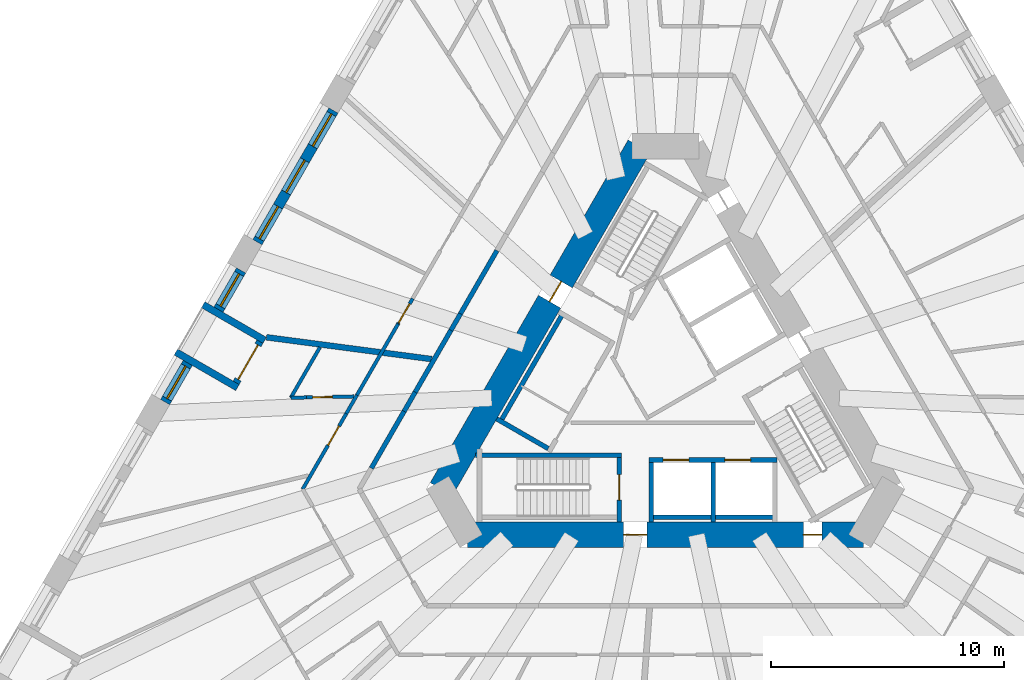
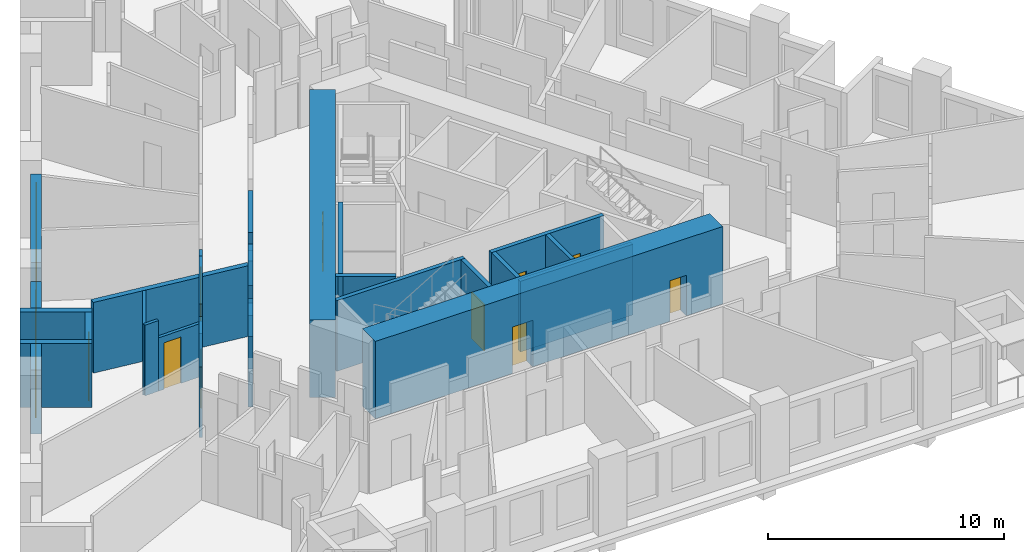
# One storey, part 4 of 14: 29 walls, 10 doors, 5 windows, 15 openings.
"""IFC4 building model written with IfcOpenShell, lengths in metres."""

import ifcopenshell
import ifcopenshell.guid

model = None  # the IFC model being written
_history = None  # IfcOwnerHistory: only IFC2X3 demands one
_inside = {}  # id of a spatial element -> (the spatial element, [elements in it])
_under = {}  # id of a project, library or spatial element -> (it, [spatial elements below it])
_declared = {}  # id of a project -> (the project, [libraries it declares])
_typed = {}  # id of a type object -> (the type object, [elements of that type])
_made_of = {}  # id of a material, layer set ... -> (it, [elements and type objects made of it])


def new_model(schema):
    """Start an empty IFC model of exactly this schema.

    Asked for "IFC4X3", IfcOpenShell would pick the latest addendum, in which some entities
    have other attributes; the version numbers below select the first issue.
    IFC2X3 requires an IfcOwnerHistory on every rooted entity: one is made here for all.
    """
    global model, _history
    if schema == "IFC4X3":
        model = ifcopenshell.file(schema_version=(4, 3, 0, 0))
    else:
        model = ifcopenshell.file(schema=schema)
    _inside.clear()
    _under.clear()
    _declared.clear()
    _typed.clear()
    _made_of.clear()
    _history = None
    if model.schema == "IFC2X3":
        org = make("IfcOrganization", Name="unknown")
        user = make(
            "IfcPersonAndOrganization",
            ThePerson=make("IfcPerson", FamilyName="unknown"),
            TheOrganization=org,
        )
        app = make(
            "IfcApplication",
            ApplicationDeveloper=org,
            Version="unknown",
            ApplicationFullName="unknown",
            ApplicationIdentifier="unknown",
        )
        _history = make(
            "IfcOwnerHistory",
            OwningUser=user,
            OwningApplication=app,
            ChangeAction="ADDED",
            CreationDate=0,
        )
    return model


def make(cls, **values):
    """One entity of the class cls with the attributes given. An attribute that is None is left unset."""
    return model.create_entity(
        cls, **{name: value for name, value in values.items() if value is not None}
    )


def rooted(cls, **values):
    """An entity with a GlobalId (a new one), such as an element, a storey or a relation."""
    return make(cls, GlobalId=ifcopenshell.guid.new(), OwnerHistory=_history, **values)


def si_unit(unit_type, name, prefix=None):
    """IfcSIUnit, for example si_unit("LENGTHUNIT", "METRE", prefix="MILLI")."""
    return make("IfcSIUnit", UnitType=unit_type, Prefix=prefix, Name=name)


def assignment(units):
    """IfcUnitAssignment: the units of a project."""
    return None if units is None else make("IfcUnitAssignment", Units=units)


def point(xyz):
    """IfcCartesianPoint."""
    return None if xyz is None else make("IfcCartesianPoint", Coordinates=xyz)


def direction(xyz):
    """IfcDirection."""
    return None if xyz is None else make("IfcDirection", DirectionRatios=xyz)


def frame(location, z_axis=None, x_axis=None):
    """IfcAxis2Placement3D, a coordinate frame: its origin and axes. An axis left out is left unset."""
    return make(
        "IfcAxis2Placement3D",
        Location=point(location),
        Axis=direction(z_axis),
        RefDirection=direction(x_axis),
    )


def frame_2d(location, x_axis=None):
    """IfcAxis2Placement2D, a coordinate frame in the plane: its origin and x axis."""
    return make(
        "IfcAxis2Placement2D", Location=point(location), RefDirection=direction(x_axis)
    )


def origin():
    """The frame at (0, 0, 0) with its axes left unset."""
    return frame((0.0, 0.0, 0.0))


def place(relative_to, where):
    """IfcLocalPlacement: puts the frame where relative to a parent placement (None: the world)."""
    return make(
        "IfcLocalPlacement", PlacementRelTo=relative_to, RelativePlacement=where
    )


def context(
    kind, dimensions, precision=None, world=None, true_north=None, identifier=None
):
    """IfcGeometricRepresentationContext, for example the 3D "Model" context."""
    return make(
        "IfcGeometricRepresentationContext",
        ContextIdentifier=identifier,
        ContextType=kind,
        CoordinateSpaceDimension=dimensions,
        Precision=precision,
        WorldCoordinateSystem=world,
        TrueNorth=true_north,
    )


def subcontext(parent, identifier, kind, view, scale=None):
    """IfcGeometricRepresentationSubContext, for example "Body" below "Model"."""
    return make(
        "IfcGeometricRepresentationSubContext",
        ContextIdentifier=identifier,
        ContextType=kind,
        ParentContext=parent,
        TargetScale=scale,
        TargetView=view,
    )


def project(units=None, contexts=None):
    """IfcProject with its units and contexts."""
    return rooted(
        "IfcProject",
        Name="project",
        RepresentationContexts=contexts,
        UnitsInContext=assignment(units),
    )


def spatial(cls, under=None, at=None, **own):
    """A site, building, storey or space (cls), placed at a placement, below another one or the project."""
    s = rooted(cls, ObjectPlacement=at, **own)
    if under is not None:
        _under.setdefault(under.id(), (under, []))[1].append(s)
    return s


def polyline(points):
    """IfcPolyline through the points."""
    return make("IfcPolyline", Points=[point(p) for p in points])


def profile(cls, at=None, kind="AREA", **sizes):
    """A parametric profile (cls). Its sizes go by their IFC names, for example OverallWidth=200.0."""
    return make(cls, ProfileType=kind, Position=at, **sizes)


def rectangle(**sizes):
    """IfcRectangleProfileDef."""
    return profile("IfcRectangleProfileDef", **sizes)


def outline(outer, holes=None, kind="AREA"):
    """IfcArbitraryClosedProfileDef: a profile drawn as a closed curve; with holes, ...WithVoids."""
    if holes is None:
        return make("IfcArbitraryClosedProfileDef", ProfileType=kind, OuterCurve=outer)
    return make(
        "IfcArbitraryProfileDefWithVoids",
        ProfileType=kind,
        OuterCurve=outer,
        InnerCurves=holes,
    )


def extrude(swept, where, along, depth):
    """IfcExtrudedAreaSolid: the profile swept, set in the frame where, extruded along a direction by depth."""
    return make(
        "IfcExtrudedAreaSolid",
        SweptArea=swept,
        Position=where,
        ExtrudedDirection=direction(along),
        Depth=depth,
    )


def shape(context_of_items, identifier, shape_type, items):
    """IfcShapeRepresentation: the items that make up one representation, for example the "Body"."""
    return make(
        "IfcShapeRepresentation",
        ContextOfItems=context_of_items,
        RepresentationIdentifier=identifier,
        RepresentationType=shape_type,
        Items=items,
    )


def material(Name=None, Category=None):
    """IfcMaterial."""
    return make("IfcMaterial", Name=Name, Category=Category)


def layer(
    of_material, thickness, ventilated=None, Name=None, Category=None, Priority=None
):
    """IfcMaterialLayer: one layer of a wall or slab, of a material (None: an air gap)."""
    return make(
        "IfcMaterialLayer",
        Material=of_material,
        LayerThickness=thickness,
        IsVentilated=ventilated,
        Name=Name,
        Category=Category,
        Priority=Priority,
    )


def layer_set(layers, Name=None):
    """IfcMaterialLayerSet."""
    return make("IfcMaterialLayerSet", MaterialLayers=layers, LayerSetName=Name)


def made_of(thing, what):
    """Note that an element or type object is made of a material, layer set ...; save() writes the relation."""
    if what is not None:
        _made_of.setdefault(what.id(), (what, []))[1].append(thing)
    return thing


def type_object(cls, material=None, **own):
    """A type object (cls), such as IfcWallType, which elements share."""
    return made_of(rooted(cls, **own), material)


def element(
    cls,
    number,
    at=None,
    inside=None,
    cuts=None,
    type_object=None,
    material=None,
    context=None,
    identifier="Body",
    shape_type=None,
    held_by="IfcProductDefinitionShape",
    body=None,
    shapes=None,
    **own,
):
    """One element of the class cls, such as IfcWall. Its Tag is "e" and its number.

    at: its placement. inside: the storey or other place that contains it. cuts: it is an
    opening in that element (IfcRelVoidsElement). A single representation is given by context,
    identifier, shape_type and body (its items); several are given by shapes. held_by: the class
    of the entity that holds the representations. save() writes the other relations.
    """
    e = rooted(cls, Tag="e%d" % number, ObjectPlacement=at, **own)
    if body is not None:
        shapes = [shape(context, identifier, shape_type, body)]
    if shapes is not None:
        e.Representation = make(held_by, Representations=shapes)
    if inside is not None:
        _inside.setdefault(inside.id(), (inside, []))[1].append(e)
    if cuts is not None:
        rooted(
            "IfcRelVoidsElement", RelatingBuildingElement=cuts, RelatedOpeningElement=e
        )
    if type_object is not None:
        _typed.setdefault(type_object.id(), (type_object, []))[1].append(e)
    return made_of(e, material)


def fill(opening, filler):
    """IfcRelFillsElement: the door or window that sits in an opening."""
    return rooted(
        "IfcRelFillsElement",
        RelatingOpeningElement=opening,
        RelatedBuildingElement=filler,
    )


def aggregate(whole, parts):
    """IfcRelAggregates: a whole, such as a stair, and the parts it consists of."""
    return rooted("IfcRelAggregates", RelatingObject=whole, RelatedObjects=parts)


def save(model, path):
    """Write the relations noted so far, then the file.

    IfcRelAggregates (storeys below a building ...), IfcRelContainedInSpatialStructure (elements
    in a storey), IfcRelDefinesByType, IfcRelAssociatesMaterial and IfcRelDeclares: one each for
    every whole, place, type object, material and project.
    """
    for whole, parts in _under.values():
        aggregate(whole, parts)
    for where, things in _inside.values():
        rooted(
            "IfcRelContainedInSpatialStructure",
            RelatedElements=things,
            RelatingStructure=where,
        )
    for kind, things in _typed.values():
        rooted("IfcRelDefinesByType", RelatedObjects=things, RelatingType=kind)
    for what, things in _made_of.values():
        rooted("IfcRelAssociatesMaterial", RelatedObjects=things, RelatingMaterial=what)
    for by, libraries in _declared.values():
        rooted("IfcRelDeclares", RelatingContext=by, RelatedDefinitions=libraries)
    model.write(path)


model = new_model("IFC4")

# Units and contexts
model_context = context("Model", 3, precision=1e-05, world=origin(), true_north=direction((0.0, 1.0)))
body_context = subcontext(model_context, "Body", "Model", "MODEL_VIEW")
ifc_project = project(units=[si_unit("LENGTHUNIT", "METRE"), si_unit("AREAUNIT", "SQUARE_METRE"), si_unit("VOLUMEUNIT", "CUBIC_METRE"), si_unit("PLANEANGLEUNIT", "RADIAN"), si_unit("MASSUNIT", "GRAM", prefix="KILO")], contexts=[model_context])

# Site, building, storey
site_placement = place(None, origin())
site = spatial("IfcSite", under=ifc_project, at=site_placement, CompositionType="ELEMENT")
building_placement = place(site_placement, origin())
building = spatial("IfcBuilding", under=site, at=building_placement, Name="Tramontana Tower", CompositionType="ELEMENT")
storey_placement = place(building_placement, frame((0.0, 0.0, 30.0)))
storey = spatial("IfcBuildingStorey", under=building, at=storey_placement, Name="L05", CompositionType="ELEMENT", Elevation=30.0)

# Wall, opening, door
ifc_material_1 = material(Name="Concrete 70 MPa", Category="concrete")
ifc_layer_1 = layer(ifc_material_1, 1.10009765625)
ifc_layer_set_1 = layer_set([ifc_layer_1], Name="Core wall 1100 70 MPa")
wall_type_1 = type_object("IfcWallType", Name="Core wall 1100 70 MPa", PredefinedType="SHEAR", material=ifc_layer_set_1)
wall_1_placement = place(storey_placement, frame((-1.125732421875, 10.449951171875, 0.0), z_axis=(0.0, 0.0, 1.0), x_axis=(-0.500001757713, -0.866024388966, 0.0)))
wall_1 = element("IfcWall", 1, at=wall_1_placement, inside=storey, type_object=wall_type_1, Name="Core wall C1 L05", PredefinedType="SHEAR", context=body_context, shape_type="SweptSolid", body=[
    extrude(rectangle(XDim=16.97412109375, YDim=1.10009765625, at=frame_2d((8.487060546875, 0.0))), origin(), (0.0, 0.0, 1.0), 4.0),
])
opening_1_placement = place(wall_1_placement, frame((6.692138671875, 0.0, 0.0)))
opening_1 = element("IfcOpeningElement", 2, at=opening_1_placement, cuts=wall_1, Name="Opening RG1", PredefinedType="OPENING", context=body_context, shape_type="SweptSolid", body=[
    extrude(rectangle(XDim=1.0, YDim=2.39990234375, at=frame_2d((0.5, 1.199951171875))), frame((0.0, 0.56005859375, 0.0), z_axis=(0.0, -1.0, 0.0), x_axis=(1.0, 0.0, 0.0)), (0.0, 0.0, 1.0), 1.1201171875),
])
ifc_material_2 = material(Name="Painted steel", Category="steel")
door_type_1 = type_object("IfcDoorType", Name="RING DOOR 1000", OperationType="SINGLE_SWING_LEFT", PredefinedType="DOOR", material=ifc_material_2)
door_1_placement = place(opening_1_placement, origin())
door_1 = element("IfcDoor", 3, at=door_1_placement, inside=storey, type_object=door_type_1, Name="Door RG1", OperationType="SINGLE_SWING_RIGHT", OverallHeight=2.39990234375, OverallWidth=1.0, PredefinedType="DOOR", context=body_context, shape_type="SweptSolid", body=[
    extrude(rectangle(XDim=1.0, YDim=2.39990234375, at=frame_2d((0.5, 1.199951171875))), frame((0.0, 0.02490234375, 0.0), z_axis=(0.0, -1.0, 0.0), x_axis=(1.0, 0.0, 0.0)), (0.0, 0.0, 1.0), 0.050048828125),
])
fill(opening_1, door_1)

# Wall, openings, doors
wall_2_placement = place(storey_placement, frame((-8.487060546875, -6.199951171875, 0.0), z_axis=(0.0, 0.0, 1.0), x_axis=(1.0, 0.0, 0.0)))
wall_2 = element("IfcWall", 4, at=wall_2_placement, inside=storey, type_object=wall_type_1, Name="Core wall C3 L05", PredefinedType="SHEAR", context=body_context, shape_type="SweptSolid", body=[
    extrude(rectangle(XDim=16.97412109375, YDim=1.10009765625, at=frame_2d((8.487060546875, 0.0))), origin(), (0.0, 0.0, 1.0), 4.0),
])
opening_2_placement = place(wall_2_placement, frame((6.69189453125, 0.0, 0.0)))
opening_2 = element("IfcOpeningElement", 5, at=opening_2_placement, cuts=wall_2, Name="Opening RG2", PredefinedType="OPENING", context=body_context, shape_type="SweptSolid", body=[
    extrude(rectangle(XDim=1.0, YDim=2.39990234375, at=frame_2d((0.5, 1.199951171875))), frame((0.0, 0.56005859375, 0.0), z_axis=(0.0, -1.0, 0.0), x_axis=(1.0, 0.0, 0.0)), (0.0, 0.0, 1.0), 1.1201171875),
])
opening_3_placement = place(wall_2_placement, frame((14.39697265625, 0.0, 0.0)))
opening_3 = element("IfcOpeningElement", 6, at=opening_3_placement, cuts=wall_2, Name="Opening PD2", PredefinedType="OPENING", context=body_context, shape_type="SweptSolid", body=[
    extrude(rectangle(XDim=0.800048828125, YDim=2.10009765625, at=frame_2d((0.39990234375, 1.050048828125))), frame((0.0, 0.56005859375, 0.0), z_axis=(0.0, -1.0, 0.0), x_axis=(1.0, 0.0, 0.0)), (0.0, 0.0, 1.0), 1.1201171875),
])
ifc_material_3 = material(Name="Painted steel", Category="steel")
door_type_2 = type_object("IfcDoorType", Name="CUPBOARD DOOR 800", OperationType="SINGLE_SWING_LEFT", PredefinedType="DOOR", material=ifc_material_3)
door_2_placement = place(opening_3_placement, origin())
door_2 = element("IfcDoor", 7, at=door_2_placement, inside=storey, type_object=door_type_2, Name="Door PD2", OperationType="SINGLE_SWING_LEFT", OverallHeight=2.10009765625, OverallWidth=0.800048828125, PredefinedType="DOOR", context=body_context, shape_type="SweptSolid", body=[
    extrude(rectangle(XDim=0.800048828125, YDim=2.10009765625, at=frame_2d((0.39990234375, 1.050048828125))), frame((0.0, 0.02490234375, 0.0), z_axis=(0.0, -1.0, 0.0), x_axis=(1.0, 0.0, 0.0)), (0.0, 0.0, 1.0), 0.050048828125),
])
fill(opening_3, door_2)
door_3_placement = place(opening_2_placement, origin())
door_3 = element("IfcDoor", 8, at=door_3_placement, inside=storey, type_object=door_type_1, Name="Door RG2", OperationType="SINGLE_SWING_LEFT", OverallHeight=2.39990234375, OverallWidth=1.0, PredefinedType="DOOR", context=body_context, shape_type="SweptSolid", body=[
    extrude(rectangle(XDim=1.0, YDim=2.39990234375, at=frame_2d((0.5, 1.199951171875))), frame((0.0, 0.02490234375, 0.0), z_axis=(0.0, -1.0, 0.0), x_axis=(1.0, 0.0, 0.0)), (0.0, 0.0, 1.0), 0.050048828125),
])
fill(opening_2, door_3)

# Walls
ifc_material_4 = material(Name="Blockwork", Category="masonry")
ifc_layer_2 = layer(ifc_material_4, 0.199951171875)
ifc_layer_set_2 = layer_set([ifc_layer_2], Name="ENTRY WALL 200")
wall_type_2 = type_object("IfcWallType", Name="ENTRY WALL 200", PredefinedType="SOLIDWALL", material=ifc_layer_set_2)
wall_3_placement = place(storey_placement, frame((-12.616943359375, -3.353515625, 0.0), z_axis=(0.0, 0.0, 1.0), x_axis=(0.49993514545, 0.866062844338, 0.0)))
element("IfcWall", 9, at=wall_3_placement, inside=storey, type_object=wall_type_2, Name="Wall v01-ew4-1", PredefinedType="SOLIDWALL", context=body_context, shape_type="SweptSolid", body=[
    extrude(rectangle(XDim=2.815185546875, YDim=0.199951171875, at=frame_2d((1.40771484375, 0.0))), origin(), (0.0, 0.0, 1.0), 3.64990234375),
])
wall_4_placement = place(storey_placement, frame((-11.20947265625, -0.915283203125, 0.0), z_axis=(0.0, 0.0, 1.0), x_axis=(0.500174821557, 0.865924446982, 0.0)))
element("IfcWall", 10, at=wall_4_placement, inside=storey, type_object=wall_type_2, Name="Wall v01-ew4-2", PredefinedType="SOLIDWALL", context=body_context, shape_type="SweptSolid", body=[
    extrude(rectangle(XDim=0.949951171875, YDim=0.199951171875, at=frame_2d((0.47509765625, 0.0))), origin(), (0.0, 0.0, 1.0), 2.75),
])
wall_5_placement = place(storey_placement, frame((-10.734375, -0.0927734375, 0.0), z_axis=(0.0, 0.0, 1.0), x_axis=(0.499952348839, 0.866052913447, 0.0)))
element("IfcWall", 11, at=wall_5_placement, inside=storey, type_object=wall_type_2, Name="Wall v01-ew4-3", PredefinedType="SOLIDWALL", context=body_context, shape_type="SweptSolid", body=[
    extrude(rectangle(XDim=3.064208984375, YDim=0.199951171875, at=frame_2d((1.5322265625, 0.0))), origin(), (0.0, 0.0, 1.0), 3.64990234375),
])
wall_6_placement = place(storey_placement, frame((-9.202392578125, 2.56103515625, 0.0), z_axis=(0.0, 0.0, 1.0), x_axis=(0.500118501653, 0.865956976012, 0.0)))
element("IfcWall", 12, at=wall_6_placement, inside=storey, type_object=wall_type_2, Name="Wall v01-ew4-4", PredefinedType="SOLIDWALL", context=body_context, shape_type="SweptSolid", body=[
    extrude(rectangle(XDim=0.818115234375, YDim=0.199951171875, at=frame_2d((0.4091796875, 0.0))), origin(), (0.0, 0.0, 1.0), 2.75),
])
wall_7_placement = place(storey_placement, frame((-8.793212890625, 3.26953125, 0.0), z_axis=(0.0, 0.0, 1.0), x_axis=(0.499947505232, 0.866055709532, 0.0)))
element("IfcWall", 13, at=wall_7_placement, inside=storey, type_object=wall_type_2, Name="Wall v01-ew4-5", PredefinedType="SOLIDWALL", context=body_context, shape_type="SweptSolid", body=[
    extrude(rectangle(XDim=3.130126953125, YDim=0.199951171875, at=frame_2d((1.56494140625, 0.0))), origin(), (0.0, 0.0, 1.0), 3.64990234375),
])

# Wall, openings, windows
ifc_material_5 = material(Name="Precast concrete 60 MPa", Category="concrete")
ifc_layer_3 = layer(ifc_material_5, 0.449951171875)
ifc_layer_set_3 = layer_set([ifc_layer_3], Name="Precast concrete 60 MPa, 450 mm")
wall_type_3 = type_object("IfcWallType", Name="EW1 Stone-faced precast wall 450", PredefinedType="SOLIDWALL", material=ifc_layer_set_3)
wall_8_placement = place(storey_placement, frame((-14.240478515625, 11.98486328125, 0.0), z_axis=(0.0, 0.0, 1.0), x_axis=(-0.500002371706, -0.866024034475, 0.0)))
wall_8 = element("IfcWall", 14, at=wall_8_placement, inside=storey, type_object=wall_type_3, Name="External wall L05 face 0 bay 4", PredefinedType="SOLIDWALL", context=body_context, shape_type="SweptSolid", body=[
    extrude(rectangle(XDim=6.51806640625, YDim=0.449951171875, at=frame_2d((3.259033203125, 0.0))), origin(), (0.0, 0.0, 1.0), 3.300048828125),
])
opening_4_placement = place(wall_8_placement, frame((0.169677734375, 0.0, 0.699951171875)))
opening_4 = element("IfcOpeningElement", 15, at=opening_4_placement, cuts=wall_8, Name="Opening M1", PredefinedType="OPENING", context=body_context, shape_type="SweptSolid", body=[
    extrude(rectangle(XDim=1.60009765625, YDim=2.300048828125, at=frame_2d((0.800048828125, 1.14990234375))), frame((0.0, 0.23486328125, 0.0), z_axis=(0.0, -1.0, 0.0), x_axis=(1.0, 0.0, 0.0)), (0.0, 0.0, 1.0), 0.469970703125),
])
opening_5_placement = place(wall_8_placement, frame((2.458984375, 0.0, 0.699951171875)))
opening_5 = element("IfcOpeningElement", 16, at=opening_5_placement, cuts=wall_8, Name="Opening M1", PredefinedType="OPENING", context=body_context, shape_type="SweptSolid", body=[
    extrude(rectangle(XDim=1.60009765625, YDim=2.300048828125, at=frame_2d((0.800048828125, 1.14990234375))), frame((0.0, 0.23486328125, 0.0), z_axis=(0.0, -1.0, 0.0), x_axis=(1.0, 0.0, 0.0)), (0.0, 0.0, 1.0), 0.469970703125),
])
opening_6_placement = place(wall_8_placement, frame((4.748291015625, 0.0, 0.699951171875)))
opening_6 = element("IfcOpeningElement", 17, at=opening_6_placement, cuts=wall_8, Name="Opening M1", PredefinedType="OPENING", context=body_context, shape_type="SweptSolid", body=[
    extrude(rectangle(XDim=1.60009765625, YDim=2.300048828125, at=frame_2d((0.800048828125, 1.14990234375))), frame((0.0, 0.23486328125, 0.0), z_axis=(0.0, -1.0, 0.0), x_axis=(1.0, 0.0, 0.0)), (0.0, 0.0, 1.0), 0.469970703125),
])
ifc_material_6 = material(Name="Aluminum frame, double glazing unit", Category="aluminium")
window_type = type_object("IfcWindowType", Name="M1 Window 1.6 x 2.3", PartitioningType="SINGLE_PANEL", PredefinedType="WINDOW", material=ifc_material_6)
window_1_placement = place(opening_4_placement, origin())
window_1 = element("IfcWindow", 18, at=window_1_placement, inside=storey, type_object=window_type, Name="Window M1 L05 face 0 module 10", OverallHeight=2.300048828125, OverallWidth=1.60009765625, PartitioningType="SINGLE_PANEL", PredefinedType="WINDOW", context=body_context, shape_type="SweptSolid", body=[
    extrude(rectangle(XDim=1.60009765625, YDim=2.300048828125, at=frame_2d((0.800048828125, 1.14990234375))), frame((0.0, 0.030029296875, 0.0), z_axis=(0.0, -1.0, 0.0), x_axis=(1.0, 0.0, 0.0)), (0.0, 0.0, 1.0), 0.06005859375),
])
fill(opening_4, window_1)
window_2_placement = place(opening_5_placement, origin())
window_2 = element("IfcWindow", 19, at=window_2_placement, inside=storey, type_object=window_type, Name="Window M1 L05 face 0 module 11", OverallHeight=2.300048828125, OverallWidth=1.60009765625, PartitioningType="SINGLE_PANEL", PredefinedType="WINDOW", context=body_context, shape_type="SweptSolid", body=[
    extrude(rectangle(XDim=1.60009765625, YDim=2.300048828125, at=frame_2d((0.800048828125, 1.14990234375))), frame((0.0, 0.030029296875, 0.0), z_axis=(0.0, -1.0, 0.0), x_axis=(1.0, 0.0, 0.0)), (0.0, 0.0, 1.0), 0.06005859375),
])
fill(opening_5, window_2)
window_3_placement = place(opening_6_placement, origin())
window_3 = element("IfcWindow", 20, at=window_3_placement, inside=storey, type_object=window_type, Name="Window M1 L05 face 0 module 12", OverallHeight=2.300048828125, OverallWidth=1.60009765625, PartitioningType="SINGLE_PANEL", PredefinedType="WINDOW", context=body_context, shape_type="SweptSolid", body=[
    extrude(rectangle(XDim=1.60009765625, YDim=2.300048828125, at=frame_2d((0.800048828125, 1.14990234375))), frame((0.0, 0.030029296875, 0.0), z_axis=(0.0, -1.0, 0.0), x_axis=(1.0, 0.0, 0.0)), (0.0, 0.0, 1.0), 0.06005859375),
])
fill(opening_6, window_3)

# Wall, opening, window
wall_9_placement = place(storey_placement, frame((-18.199462890625, 5.127685546875, 0.0), z_axis=(0.0, 0.0, 1.0), x_axis=(-0.499944052521, -0.866057702667, 0.0)))
wall_9 = element("IfcWall", 21, at=wall_9_placement, inside=storey, type_object=wall_type_3, Name="External wall L05 face 0 bay 5", PredefinedType="SOLIDWALL", context=body_context, shape_type="SweptSolid", body=[
    extrude(rectangle(XDim=1.939208984375, YDim=0.449951171875, at=frame_2d((0.9697265625, 0.0))), origin(), (0.0, 0.0, 1.0), 3.300048828125),
])
opening_7_placement = place(wall_9_placement, frame((0.169677734375, 0.0, 0.699951171875)))
opening_7 = element("IfcOpeningElement", 22, at=opening_7_placement, cuts=wall_9, Name="Opening M1", PredefinedType="OPENING", context=body_context, shape_type="SweptSolid", body=[
    extrude(rectangle(XDim=1.60009765625, YDim=2.300048828125, at=frame_2d((0.800048828125, 1.14990234375))), frame((0.0, 0.23486328125, 0.0), z_axis=(0.0, -1.0, 0.0), x_axis=(1.0, 0.0, 0.0)), (0.0, 0.0, 1.0), 0.469970703125),
])
window_4_placement = place(opening_7_placement, origin())
window_4 = element("IfcWindow", 23, at=window_4_placement, inside=storey, type_object=window_type, Name="Window M1 L05 face 0 module 13", OverallHeight=2.300048828125, OverallWidth=1.60009765625, PartitioningType="SINGLE_PANEL", PredefinedType="WINDOW", context=body_context, shape_type="SweptSolid", body=[
    extrude(rectangle(XDim=1.60009765625, YDim=2.300048828125, at=frame_2d((0.800048828125, 1.14990234375))), frame((0.0, 0.030029296875, 0.0), z_axis=(0.0, -1.0, 0.0), x_axis=(1.0, 0.0, 0.0)), (0.0, 0.0, 1.0), 0.06005859375),
])
fill(opening_7, window_4)

wall_10_placement = place(storey_placement, frame((-20.48876953125, 1.16259765625, 0.0), z_axis=(0.0, 0.0, 1.0), x_axis=(-0.49998396455, -0.866034661658, 0.0)))
wall_10 = element("IfcWall", 24, at=wall_10_placement, inside=storey, type_object=wall_type_3, Name="External wall L05 face 0 bay 5", PredefinedType="SOLIDWALL", context=body_context, shape_type="SweptSolid", body=[
    extrude(rectangle(XDim=1.939453125, YDim=0.449951171875, at=frame_2d((0.9697265625, 0.0))), origin(), (0.0, 0.0, 1.0), 3.300048828125),
])
opening_8_placement = place(wall_10_placement, frame((0.169677734375, 0.0, 0.699951171875)))
opening_8 = element("IfcOpeningElement", 25, at=opening_8_placement, cuts=wall_10, Name="Opening M1", PredefinedType="OPENING", context=body_context, shape_type="SweptSolid", body=[
    extrude(rectangle(XDim=1.60009765625, YDim=2.300048828125, at=frame_2d((0.800048828125, 1.14990234375))), frame((0.0, 0.23486328125, 0.0), z_axis=(0.0, -1.0, 0.0), x_axis=(1.0, 0.0, 0.0)), (0.0, 0.0, 1.0), 0.469970703125),
])
window_5_placement = place(opening_8_placement, origin())
window_5 = element("IfcWindow", 26, at=window_5_placement, inside=storey, type_object=window_type, Name="Window M1 L05 face 0 module 15", OverallHeight=2.300048828125, OverallWidth=1.60009765625, PartitioningType="SINGLE_PANEL", PredefinedType="WINDOW", context=body_context, shape_type="SweptSolid", body=[
    extrude(rectangle(XDim=1.60009765625, YDim=2.300048828125, at=frame_2d((0.800048828125, 1.14990234375))), frame((0.0, 0.030029296875, 0.0), z_axis=(0.0, -1.0, 0.0), x_axis=(1.0, 0.0, 0.0)), (0.0, 0.0, 1.0), 0.06005859375),
])
fill(opening_8, window_5)

# Wall, opening, door
ifc_material_7 = material(Name="Precast concrete 60 MPa", Category="concrete")
ifc_layer_4 = layer(ifc_material_7, 0.300048828125)
ifc_layer_set_4 = layer_set([ifc_layer_4], Name="LW1 Stone-faced loggia wall 300")
wall_type_4 = type_object("IfcWallType", Name="LW1 Stone-faced loggia wall 300", PredefinedType="SOLIDWALL", material=ifc_layer_set_4)
wall_11_placement = place(storey_placement, frame((-17.39208984375, 2.075927734375, 0.0), z_axis=(0.0, 0.0, 1.0), x_axis=(-0.500040236659, -0.866002171892, 0.0)))
wall_11 = element("IfcWall", 27, at=wall_11_placement, inside=storey, type_object=wall_type_4, Name="Loggia wall L05 G0S0.13", PredefinedType="SOLIDWALL", context=body_context, shape_type="SweptSolid", body=[
    extrude(rectangle(XDim=2.039306640625, YDim=0.300048828125, at=frame_2d((1.01953125, 0.0))), origin(), (0.0, 0.0, 1.0), 3.300048828125),
])
opening_9_placement = place(wall_11_placement, frame((0.169677734375, 0.0, 0.0)))
opening_9 = element("IfcOpeningElement", 28, at=opening_9_placement, cuts=wall_11, Name="Opening BD-0S0-13", PredefinedType="OPENING", context=body_context, shape_type="SweptSolid", body=[
    extrude(rectangle(XDim=1.699951171875, YDim=2.39990234375, at=frame_2d((0.85009765625, 1.199951171875))), frame((0.0, 0.159912109375, 0.0), z_axis=(0.0, -1.0, 0.0), x_axis=(1.0, 0.0, 0.0)), (0.0, 0.0, 1.0), 0.320068359375),
])
ifc_material_8 = material(Name="Aluminum frame, double glazing unit", Category="aluminium")
door_type_3 = type_object("IfcDoorType", Name="BD1 Sliding door 1.7 x 2.4", OperationType="SLIDING_TO_LEFT", PredefinedType="DOOR", material=ifc_material_8)
door_4_placement = place(opening_9_placement, origin())
door_4 = element("IfcDoor", 29, at=door_4_placement, inside=storey, type_object=door_type_3, Name="Loggia door L05 G0S0.13", OperationType="SLIDING_TO_LEFT", OverallHeight=2.39990234375, OverallWidth=1.699951171875, PredefinedType="DOOR", context=body_context, shape_type="SweptSolid", body=[
    extrude(rectangle(XDim=1.699951171875, YDim=2.39990234375, at=frame_2d((0.85009765625, 1.199951171875))), frame((0.0, 0.02490234375, 0.0), z_axis=(0.0, -1.0, 0.0), x_axis=(1.0, 0.0, 0.0)), (0.0, 0.0, 1.0), 0.050048828125),
])
fill(opening_9, door_4)

# Walls
for number, where, z_axis, x_axis, name in (
    (30, (-19.82861328125, 3.65576171875, 0.0), (0.0, 0.0, 1.0), (0.866037623948, -0.499978833458, 0.0), "Loggia return L05 G0S0.13a"),
    (31, (-20.998291015625, 1.6298828125, 0.0), (0.0, 0.0, 1.0), (0.866037623948, -0.499978833458, 0.0), "Loggia return L05 G0S0.13b"),
):
    element("IfcWall", number, at=place(storey_placement, frame(where, z_axis=z_axis, x_axis=x_axis)), inside=storey, type_object=wall_type_4, Name=name, PredefinedType="SOLIDWALL", context=body_context, shape_type="SweptSolid", body=[
        extrude(rectangle(XDim=3.050048828125, YDim=0.300048828125, at=frame_2d((1.52490234375, 0.0))), origin(), (0.0, 0.0, 1.0), 3.300048828125),
    ])
ifc_material_9 = material(Name="Gypsum board partition")
ifc_layer_5 = layer(ifc_material_9, 0.14990234375)
ifc_layer_set_5 = layer_set([ifc_layer_5], Name="PARTITION 150")
wall_type_5 = type_object("IfcWallType", Name="PARTITION 150", PredefinedType="PARTITIONING", material=ifc_layer_set_5)
wall_12_placement = place(storey_placement, frame((-16.069580078125, -0.333251953125, 0.0), z_axis=(0.0, 0.0, 1.0), x_axis=(0.500004234368, 0.866022959057, 0.0)))
element("IfcWall", 32, at=wall_12_placement, inside=storey, type_object=wall_type_5, Name="Wall v01-pw05", PredefinedType="PARTITIONING", context=body_context, shape_type="SweptSolid", body=[
    extrude(rectangle(XDim=2.5, YDim=0.14990234375, at=frame_2d((1.25, 0.0))), origin(), (0.0, 0.0, 1.0), 3.64990234375),
])

# Wall, opening, door
wall_13_placement = place(storey_placement, frame((-15.5595703125, -4.25, 0.0), z_axis=(0.0, 0.0, 1.0), x_axis=(0.500007375767, 0.866021145342, 0.0)))
wall_13 = element("IfcWall", 33, at=wall_13_placement, inside=storey, type_object=wall_type_5, Name="Wall v01-pw07-0", PredefinedType="PARTITIONING", context=body_context, shape_type="SweptSolid", body=[
    extrude(rectangle(XDim=3.7333984375, YDim=0.14990234375, at=frame_2d((1.86669921875, 0.0))), origin(), (0.0, 0.0, 1.0), 3.64990234375),
])
opening_10_placement = place(wall_13_placement, frame((2.170654296875, 0.0, 0.0)))
opening_10 = element("IfcOpeningElement", 34, at=opening_10_placement, cuts=wall_13, Name="Opening B0B-18", PredefinedType="OPENING", context=body_context, shape_type="SweptSolid", body=[
    extrude(rectangle(XDim=0.949951171875, YDim=2.39990234375, at=frame_2d((0.47509765625, 1.199951171875))), frame((0.0, 0.0849609375, 0.0), z_axis=(0.0, -1.0, 0.0), x_axis=(1.0, 0.0, 0.0)), (0.0, 0.0, 1.0), 0.169921875),
])
ifc_material_10 = material(Name="Painted timber", Category="wood")
door_type_4 = type_object("IfcDoorType", Name="DOOR ROOM 950", OperationType="SINGLE_SWING_LEFT", PredefinedType="DOOR", material=ifc_material_10)
door_5_placement = place(opening_10_placement, origin())
door_5 = element("IfcDoor", 35, at=door_5_placement, inside=storey, type_object=door_type_4, Name="Door B0B-18", OperationType="SINGLE_SWING_RIGHT", OverallHeight=2.39990234375, OverallWidth=0.949951171875, PredefinedType="DOOR", context=body_context, shape_type="SweptSolid", body=[
    extrude(rectangle(XDim=0.949951171875, YDim=2.39990234375, at=frame_2d((0.47509765625, 1.199951171875))), frame((0.0, 0.02490234375, 0.0), z_axis=(0.0, -1.0, 0.0), x_axis=(1.0, 0.0, 0.0)), (0.0, 0.0, 1.0), 0.050048828125),
])
fill(opening_10, door_5)

# Walls
wall_14_placement = place(storey_placement, frame((-13.69287109375, -1.016845703125, 0.0), z_axis=(0.0, 0.0, 1.0), x_axis=(0.499906209203, 0.866079547155, 0.0)))
element("IfcWall", 36, at=wall_14_placement, inside=storey, type_object=wall_type_5, Name="Wall v01-pw07-1", PredefinedType="PARTITIONING", context=body_context, shape_type="SweptSolid", body=[
    extrude(rectangle(XDim=0.920166015625, YDim=0.14990234375, at=frame_2d((0.4599609375, 0.0))), origin(), (0.0, 0.0, 1.0), 2.75),
])
wall_15_placement = place(storey_placement, frame((-13.23291015625, -0.219970703125, 0.0), z_axis=(0.0, 0.0, 1.0), x_axis=(0.500008478926, 0.866020508419, 0.0)))
element("IfcWall", 37, at=wall_15_placement, inside=storey, type_object=wall_type_5, Name="Wall v01-pw07-2", PredefinedType="PARTITIONING", context=body_context, shape_type="SweptSolid", body=[
    extrude(rectangle(XDim=3.52197265625, YDim=0.14990234375, at=frame_2d((1.760986328125, 0.0))), origin(), (0.0, 0.0, 1.0), 3.64990234375),
])

# Wall, opening, door
wall_16_placement = place(storey_placement, frame((-11.471923828125, 2.830078125, 0.0), z_axis=(0.0, 0.0, 1.0), x_axis=(0.499935087192, 0.866062877968, 0.0)))
wall_16 = element("IfcWall", 38, at=wall_16_placement, inside=storey, type_object=wall_type_5, Name="Wall v01-pw07-3", PredefinedType="PARTITIONING", context=body_context, shape_type="SweptSolid", body=[
    extrude(outline(polyline([(0.0, 0.0), (1.259033203125, 0.0), (1.2587890625, 2.75), (0.46630859375, 2.75), (0.46630859375, 3.64990234375), (0.0, 3.64990234375), (0.0, 0.0)])), frame((0.0, 0.074951171875, 0.0), z_axis=(0.0, -1.0, 0.0), x_axis=(1.0, 0.0, 0.0)), (0.0, 0.0, 1.0), 0.14990234375),
])
opening_11_placement = place(wall_16_placement, frame((0.050048828125, 0.0, 0.0)))
opening_11 = element("IfcOpeningElement", 39, at=opening_11_placement, cuts=wall_16, Name="Opening B0B-10", PredefinedType="OPENING", context=body_context, shape_type="SweptSolid", body=[
    extrude(rectangle(XDim=0.949951171875, YDim=2.39990234375, at=frame_2d((0.47509765625, 1.199951171875))), frame((0.0, 0.0849609375, 0.0), z_axis=(0.0, -1.0, 0.0), x_axis=(1.0, 0.0, 0.0)), (0.0, 0.0, 1.0), 0.169921875),
])
door_6_placement = place(opening_11_placement, origin())
door_6 = element("IfcDoor", 40, at=door_6_placement, inside=storey, type_object=door_type_4, Name="Door B0B-10", OperationType="SINGLE_SWING_RIGHT", OverallHeight=2.39990234375, OverallWidth=0.949951171875, PredefinedType="DOOR", context=body_context, shape_type="SweptSolid", body=[
    extrude(rectangle(XDim=0.949951171875, YDim=2.39990234375, at=frame_2d((0.47509765625, 1.199951171875))), frame((0.0, 0.02490234375, 0.0), z_axis=(0.0, -1.0, 0.0), x_axis=(1.0, 0.0, 0.0)), (0.0, 0.0, 1.0), 0.050048828125),
])
fill(opening_11, door_6)

wall_17_placement = place(storey_placement, frame((-15.39892578125, -0.3193359375, 0.0), z_axis=(0.0, 0.0, 1.0), x_axis=(0.999787125037, 0.020632610358, 0.0)))
wall_17 = element("IfcWall", 41, at=wall_17_placement, inside=storey, type_object=wall_type_5, Name="Wall v01-pw10-0", PredefinedType="PARTITIONING", context=body_context, shape_type="SweptSolid", body=[
    extrude(rectangle(XDim=2.047119140625, YDim=0.14990234375, at=frame_2d((1.0234375, 0.0))), origin(), (0.0, 0.0, 1.0), 2.75),
])
opening_12_placement = place(wall_17_placement, frame((0.262939453125, 0.0, 0.0)))
opening_12 = element("IfcOpeningElement", 42, at=opening_12_placement, cuts=wall_17, Name="Opening B0B-21", PredefinedType="OPENING", context=body_context, shape_type="SweptSolid", body=[
    extrude(rectangle(XDim=0.85009765625, YDim=2.39990234375, at=frame_2d((0.425048828125, 1.199951171875))), frame((0.0, 0.0849609375, 0.0), z_axis=(0.0, -1.0, 0.0), x_axis=(1.0, 0.0, 0.0)), (0.0, 0.0, 1.0), 0.169921875),
])
ifc_material_11 = material(Name="Painted timber", Category="wood")
door_type_5 = type_object("IfcDoorType", Name="DOOR BATH 850", OperationType="SINGLE_SWING_LEFT", PredefinedType="DOOR", material=ifc_material_11)
door_7_placement = place(opening_12_placement, origin())
door_7 = element("IfcDoor", 43, at=door_7_placement, inside=storey, type_object=door_type_5, Name="Door B0B-21", OperationType="SINGLE_SWING_LEFT", OverallHeight=2.39990234375, OverallWidth=0.85009765625, PredefinedType="DOOR", context=body_context, shape_type="SweptSolid", body=[
    extrude(rectangle(XDim=0.85009765625, YDim=2.39990234375, at=frame_2d((0.425048828125, 1.199951171875))), frame((0.0, 0.02490234375, 0.0), z_axis=(0.0, -1.0, 0.0), x_axis=(1.0, 0.0, 0.0)), (0.0, 0.0, 1.0), 0.050048828125),
])
fill(opening_12, door_7)

# Walls
wall_18_placement = place(storey_placement, frame((-15.39892578125, -0.3193359375, 0.0), z_axis=(0.0, 0.0, 1.0), x_axis=(-0.999784790131, -0.020745443406, 0.0)))
element("IfcWall", 44, at=wall_18_placement, inside=storey, type_object=wall_type_5, Name="Wall v01-pw10-1", PredefinedType="PARTITIONING", context=body_context, shape_type="SweptSolid", body=[
    extrude(rectangle(XDim=0.6708984375, YDim=0.14990234375, at=frame_2d((0.33544921875, 0.0))), origin(), (0.0, 0.0, 1.0), 3.64990234375),
])
ifc_material_12 = material(Name="Blockwork", Category="masonry")
ifc_layer_6 = layer(ifc_material_12, 0.25)
ifc_layer_set_6 = layer_set([ifc_layer_6], Name="PARTY WALL 250")
wall_type_6 = type_object("IfcWallType", Name="PARTY WALL 250", PredefinedType="SOLIDWALL", material=ifc_layer_set_6)
wall_19_placement = place(storey_placement, frame((-10.03125, 1.3251953125, 0.0), z_axis=(0.0, 0.0, 1.0), x_axis=(-0.991384816292, 0.130981472074, 0.0)))
element("IfcWall", 45, at=wall_19_placement, inside=storey, type_object=wall_type_6, Name="Wall v01-pw16", PredefinedType="SOLIDWALL", context=body_context, shape_type="SweptSolid", body=[
    extrude(rectangle(XDim=7.142578125, YDim=0.25, at=frame_2d((3.5712890625, 0.0))), origin(), (0.0, 0.0, 1.0), 3.64990234375),
])
ifc_material_13 = material(Name="Concrete 70 MPa", Category="concrete")
ifc_layer_7 = layer(ifc_material_13, 0.199951171875)
ifc_layer_set_7 = layer_set([ifc_layer_7], Name="Concrete 70 MPa, 200 mm")
wall_type_7 = type_object("IfcWallType", Name="RC SHAFT BACK WALL 200", PredefinedType="SOLIDWALL", material=ifc_layer_set_7)
for number, where, z_axis, x_axis, name in (
    (46, (-4.36474609375, 3.33984375, 0.0), (0.0, 0.0, 1.0), (-0.499996545922, -0.866027397988, 0.0), "Wall row0-back"),
    (47, (-0.7099609375, -5.449951171875, 0.0), (0.0, 0.0, 1.0), (1.0, 0.0, 0.0), "Wall row1-back"),
):
    element("IfcWall", number, at=place(storey_placement, frame(where, z_axis=z_axis, x_axis=x_axis)), inside=storey, type_object=wall_type_7, Name=name, PredefinedType="SOLIDWALL", context=body_context, shape_type="SweptSolid", body=[
        extrude(rectangle(XDim=5.5, YDim=0.199951171875, at=frame_2d((2.75, 0.0))), origin(), (0.0, 0.0, 1.0), 3.64990234375),
    ])
ifc_material_14 = material(Name="Concrete 70 MPa", Category="concrete")
ifc_layer_8 = layer(ifc_material_14, 0.199951171875)
ifc_layer_set_8 = layer_set([ifc_layer_8], Name="Concrete 70 MPa, 200 mm")
wall_type_8 = type_object("IfcWallType", Name="RC STAIR AND SHAFT WALL 200", PredefinedType="SOLIDWALL", material=ifc_layer_set_8)
wall_20_placement = place(storey_placement, frame((-8.140625, -2.800048828125, 0.0), z_axis=(0.0, 0.0, 1.0), x_axis=(1.0, 0.0, 0.0)))
element("IfcWall", 48, at=wall_20_placement, inside=storey, type_object=wall_type_8, Name="Wall st2-front", PredefinedType="SOLIDWALL", context=body_context, shape_type="SweptSolid", body=[
    extrude(rectangle(XDim=6.2607421875, YDim=0.199951171875, at=frame_2d((3.13037109375, 0.0))), origin(), (0.0, 0.0, 1.0), 3.64990234375),
])

# Wall, opening, door
wall_21_placement = place(storey_placement, frame((-1.97998046875, -2.89990234375, 0.0), z_axis=(0.0, 0.0, 1.0), x_axis=(0.0, -1.0, 0.0)))
wall_21 = element("IfcWall", 49, at=wall_21_placement, inside=storey, type_object=wall_type_8, Name="Wall st2-near", PredefinedType="SOLIDWALL", context=body_context, shape_type="SweptSolid", body=[
    extrude(rectangle(XDim=2.75, YDim=0.199951171875, at=frame_2d((1.375, 0.0))), origin(), (0.0, 0.0, 1.0), 3.64990234375),
])
opening_13_placement = place(wall_21_placement, frame((0.72509765625, 0.0, 0.0)))
opening_13 = element("IfcOpeningElement", 50, at=opening_13_placement, cuts=wall_21, Name="Opening SD2", PredefinedType="OPENING", context=body_context, shape_type="SweptSolid", body=[
    extrude(rectangle(XDim=1.10009765625, YDim=2.39990234375, at=frame_2d((0.550048828125, 1.199951171875))), frame((0.0, 0.10986328125, 0.0), z_axis=(0.0, -1.0, 0.0), x_axis=(1.0, 0.0, 0.0)), (0.0, 0.0, 1.0), 0.219970703125),
])
ifc_material_15 = material(Name="Painted steel", Category="steel")
door_type_6 = type_object("IfcDoorType", Name="STAIR DOOR 1100", OperationType="SINGLE_SWING_LEFT", PredefinedType="DOOR", material=ifc_material_15)
door_8_placement = place(opening_13_placement, origin())
door_8 = element("IfcDoor", 51, at=door_8_placement, inside=storey, type_object=door_type_6, Name="Door SD2", OperationType="SINGLE_SWING_LEFT", OverallHeight=2.39990234375, OverallWidth=1.10009765625, PredefinedType="DOOR", context=body_context, shape_type="SweptSolid", body=[
    extrude(rectangle(XDim=1.10009765625, YDim=2.39990234375, at=frame_2d((0.550048828125, 1.199951171875))), frame((0.0, 0.02490234375, 0.0), z_axis=(0.0, -1.0, 0.0), x_axis=(1.0, 0.0, 0.0)), (0.0, 0.0, 1.0), 0.050048828125),
])
fill(opening_13, door_8)

# Wall
wall_22_placement = place(storey_placement, frame((-5.02978515625, -2.51171875, 0.0), z_axis=(0.0, 0.0, 1.0), x_axis=(-0.865989465428, 0.500062241894, 0.0)))
element("IfcWall", 52, at=wall_22_placement, inside=storey, type_object=wall_type_8, Name="Wall row0-side2", PredefinedType="SOLIDWALL", context=body_context, shape_type="SweptSolid", body=[
    extrude(rectangle(XDim=2.550048828125, YDim=0.199951171875, at=frame_2d((1.27490234375, 0.0))), origin(), (0.0, 0.0, 1.0), 3.64990234375),
])

# Wall, openings, doors
wall_23_placement = place(storey_placement, frame((-0.7099609375, -3.0, 0.0), z_axis=(0.0, 0.0, 1.0), x_axis=(1.0, 0.0, 0.0)))
wall_23 = element("IfcWall", 53, at=wall_23_placement, inside=storey, type_object=wall_type_8, Name="Wall row1-front", PredefinedType="SOLIDWALL", context=body_context, shape_type="SweptSolid", body=[
    extrude(rectangle(XDim=5.5, YDim=0.199951171875, at=frame_2d((2.75, 0.0))), origin(), (0.0, 0.0, 1.0), 3.64990234375),
])
opening_14_placement = place(wall_23_placement, frame((0.610107421875, 0.0, 0.0)))
opening_14 = element("IfcOpeningElement", 54, at=opening_14_placement, cuts=wall_23, Name="Opening LD-S1", PredefinedType="OPENING", context=body_context, shape_type="SweptSolid", body=[
    extrude(rectangle(XDim=1.10009765625, YDim=2.10009765625, at=frame_2d((0.550048828125, 1.050048828125))), frame((0.0, 0.10986328125, 0.0), z_axis=(0.0, -1.0, 0.0), x_axis=(1.0, 0.0, 0.0)), (0.0, 0.0, 1.0), 0.219970703125),
])
opening_15_placement = place(wall_23_placement, frame((3.260009765625, 0.0, 0.0)))
opening_15 = element("IfcOpeningElement", 55, at=opening_15_placement, cuts=wall_23, Name="Opening LD-S2", PredefinedType="OPENING", context=body_context, shape_type="SweptSolid", body=[
    extrude(rectangle(XDim=1.10009765625, YDim=2.10009765625, at=frame_2d((0.550048828125, 1.050048828125))), frame((0.0, 0.10986328125, 0.0), z_axis=(0.0, -1.0, 0.0), x_axis=(1.0, 0.0, 0.0)), (0.0, 0.0, 1.0), 0.219970703125),
])
ifc_material_16 = material(Name="Brushed steel", Category="steel")
door_type_7 = type_object("IfcDoorType", Name="LANDING DOOR 1100", OperationType="SINGLE_SWING_LEFT", PredefinedType="DOOR", material=ifc_material_16)
door_9_placement = place(opening_14_placement, origin())
door_9 = element("IfcDoor", 56, at=door_9_placement, inside=storey, type_object=door_type_7, Name="Door LD-S1", OperationType="SLIDING_TO_LEFT", OverallHeight=2.10009765625, OverallWidth=1.10009765625, PredefinedType="DOOR", context=body_context, shape_type="SweptSolid", body=[
    extrude(rectangle(XDim=1.10009765625, YDim=2.10009765625, at=frame_2d((0.550048828125, 1.050048828125))), frame((0.0, 0.02490234375, 0.0), z_axis=(0.0, -1.0, 0.0), x_axis=(1.0, 0.0, 0.0)), (0.0, 0.0, 1.0), 0.050048828125),
])
fill(opening_14, door_9)
door_10_placement = place(opening_15_placement, origin())
door_10 = element("IfcDoor", 57, at=door_10_placement, inside=storey, type_object=door_type_7, Name="Door LD-S2", OperationType="SLIDING_TO_RIGHT", OverallHeight=2.10009765625, OverallWidth=1.10009765625, PredefinedType="DOOR", context=body_context, shape_type="SweptSolid", body=[
    extrude(rectangle(XDim=1.10009765625, YDim=2.10009765625, at=frame_2d((0.550048828125, 1.050048828125))), frame((0.0, 0.02490234375, 0.0), z_axis=(0.0, -1.0, 0.0), x_axis=(1.0, 0.0, 0.0)), (0.0, 0.0, 1.0), 0.050048828125),
])
fill(opening_15, door_10)

# Walls
for number, where, z_axis, x_axis, name in (
    (58, (-0.610107421875, -3.10009765625, 0.0), (0.0, 0.0, 1.0), (0.0, -1.0, 0.0), "Wall row1-side0"),
    (59, (2.0400390625, -3.10009765625, 0.0), (0.0, 0.0, 1.0), (0.0, -1.0, 0.0), "Wall row1-side1"),
):
    element("IfcWall", number, at=place(storey_placement, frame(where, z_axis=z_axis, x_axis=x_axis)), inside=storey, type_object=wall_type_8, Name=name, PredefinedType="SOLIDWALL", context=body_context, shape_type="SweptSolid", body=[
        extrude(rectangle(XDim=2.5498046875, YDim=0.199951171875, at=frame_2d((1.27490234375, 0.0))), origin(), (0.0, 0.0, 1.0), 3.64990234375),
    ])

save(model, "model.ifc")
